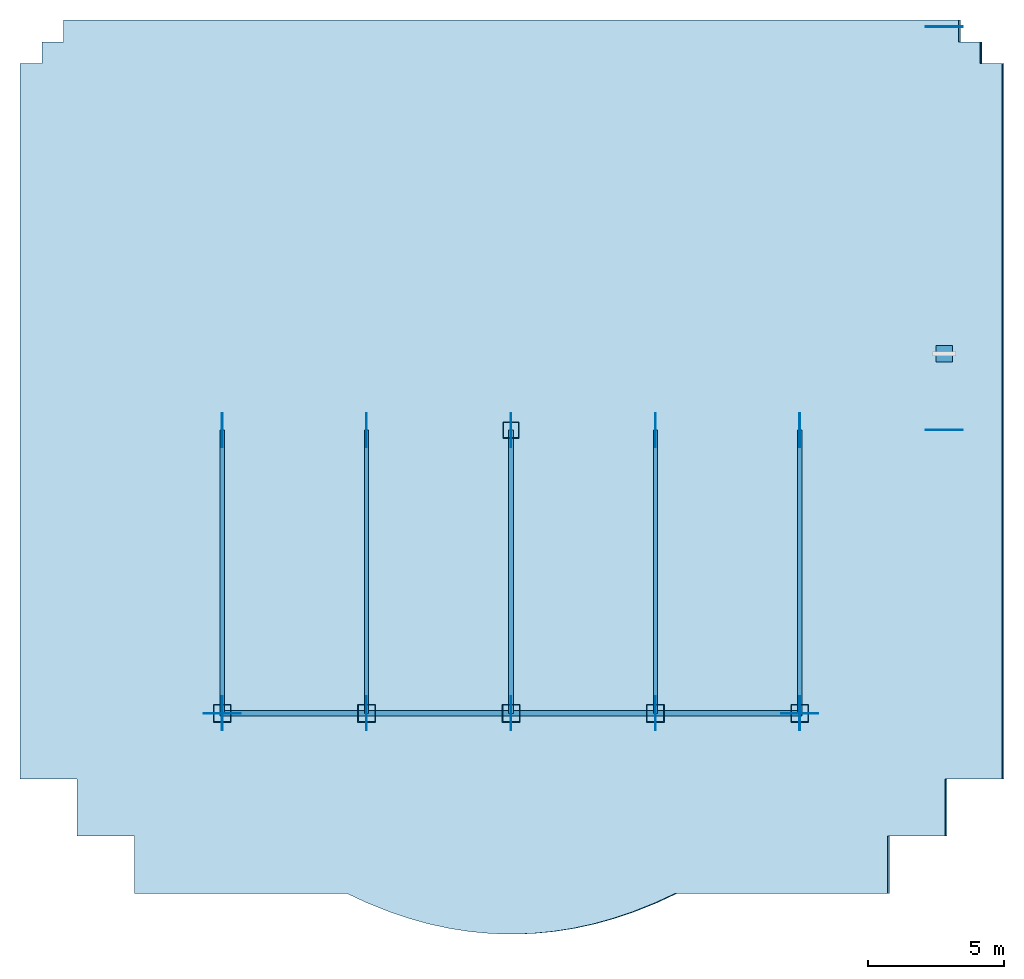
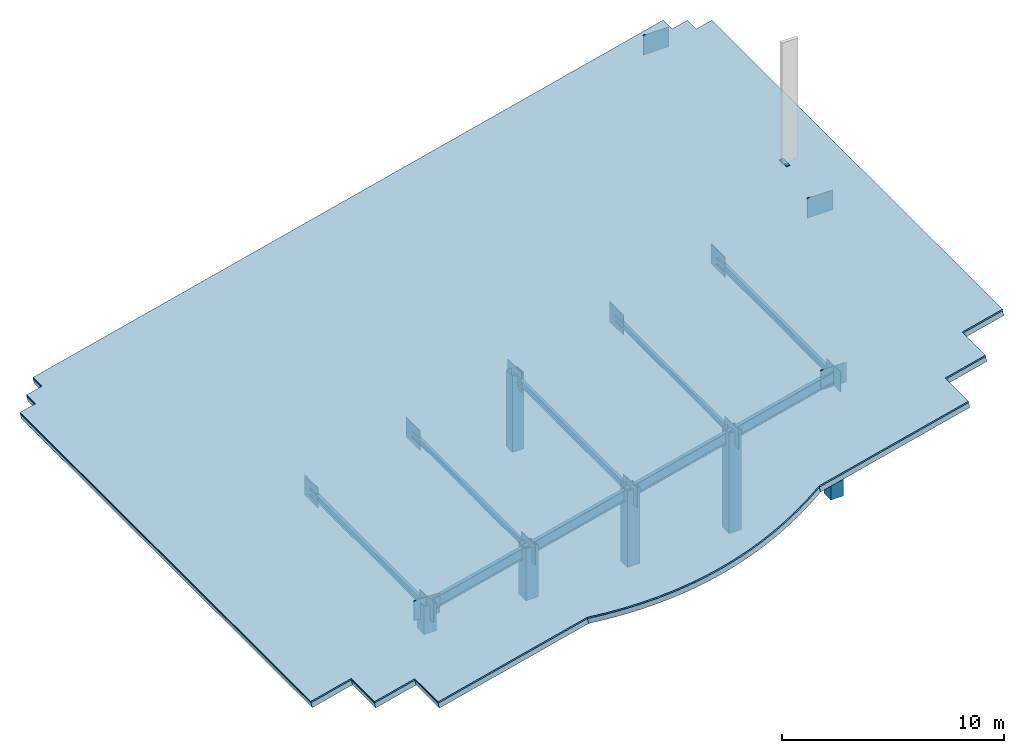
# One storey, part 1 of 2: 14 plates, 6 columns, 6 members, 1 discrete accessory, 1 roof, 1 slab.
"""IFC4 building model written with IfcOpenShell, lengths in metres."""

import ifcopenshell
import ifcopenshell.guid

model = None  # the IFC model being written
_history = None  # IfcOwnerHistory: only IFC2X3 demands one
_inside = {}  # id of a spatial element -> (the spatial element, [elements in it])
_under = {}  # id of a project, library or spatial element -> (it, [spatial elements below it])
_declared = {}  # id of a project -> (the project, [libraries it declares])
_typed = {}  # id of a type object -> (the type object, [elements of that type])
_made_of = {}  # id of a material, layer set ... -> (it, [elements and type objects made of it])


def new_model(schema):
    """Start an empty IFC model of exactly this schema.

    Asked for "IFC4X3", IfcOpenShell would pick the latest addendum, in which some entities
    have other attributes; the version numbers below select the first issue.
    IFC2X3 requires an IfcOwnerHistory on every rooted entity: one is made here for all.
    """
    global model, _history
    if schema == "IFC4X3":
        model = ifcopenshell.file(schema_version=(4, 3, 0, 0))
    else:
        model = ifcopenshell.file(schema=schema)
    _inside.clear()
    _under.clear()
    _declared.clear()
    _typed.clear()
    _made_of.clear()
    _history = None
    if model.schema == "IFC2X3":
        org = make("IfcOrganization", Name="unknown")
        user = make(
            "IfcPersonAndOrganization",
            ThePerson=make("IfcPerson", FamilyName="unknown"),
            TheOrganization=org,
        )
        app = make(
            "IfcApplication",
            ApplicationDeveloper=org,
            Version="unknown",
            ApplicationFullName="unknown",
            ApplicationIdentifier="unknown",
        )
        _history = make(
            "IfcOwnerHistory",
            OwningUser=user,
            OwningApplication=app,
            ChangeAction="ADDED",
            CreationDate=0,
        )
    return model


def make(cls, **values):
    """One entity of the class cls with the attributes given. An attribute that is None is left unset."""
    return model.create_entity(
        cls, **{name: value for name, value in values.items() if value is not None}
    )


def rooted(cls, **values):
    """An entity with a GlobalId (a new one), such as an element, a storey or a relation."""
    return make(cls, GlobalId=ifcopenshell.guid.new(), OwnerHistory=_history, **values)


def si_unit(unit_type, name, prefix=None):
    """IfcSIUnit, for example si_unit("LENGTHUNIT", "METRE", prefix="MILLI")."""
    return make("IfcSIUnit", UnitType=unit_type, Prefix=prefix, Name=name)


def assignment(units):
    """IfcUnitAssignment: the units of a project."""
    return None if units is None else make("IfcUnitAssignment", Units=units)


def point(xyz):
    """IfcCartesianPoint."""
    return None if xyz is None else make("IfcCartesianPoint", Coordinates=xyz)


def direction(xyz):
    """IfcDirection."""
    return None if xyz is None else make("IfcDirection", DirectionRatios=xyz)


def frame(location, z_axis=None, x_axis=None):
    """IfcAxis2Placement3D, a coordinate frame: its origin and axes. An axis left out is left unset."""
    return make(
        "IfcAxis2Placement3D",
        Location=point(location),
        Axis=direction(z_axis),
        RefDirection=direction(x_axis),
    )


def frame_2d(location, x_axis=None):
    """IfcAxis2Placement2D, a coordinate frame in the plane: its origin and x axis."""
    return make(
        "IfcAxis2Placement2D", Location=point(location), RefDirection=direction(x_axis)
    )


def origin():
    """The frame at (0, 0, 0) with its axes left unset."""
    return frame((0.0, 0.0, 0.0))


def origin_2d():
    """The frame at (0, 0) in the plane with its x axis left unset."""
    return frame_2d((0.0, 0.0))


def place(relative_to, where):
    """IfcLocalPlacement: puts the frame where relative to a parent placement (None: the world)."""
    return make(
        "IfcLocalPlacement", PlacementRelTo=relative_to, RelativePlacement=where
    )


def context(
    kind, dimensions, precision=None, world=None, true_north=None, identifier=None
):
    """IfcGeometricRepresentationContext, for example the 3D "Model" context."""
    return make(
        "IfcGeometricRepresentationContext",
        ContextIdentifier=identifier,
        ContextType=kind,
        CoordinateSpaceDimension=dimensions,
        Precision=precision,
        WorldCoordinateSystem=world,
        TrueNorth=true_north,
    )


def subcontext(parent, identifier, kind, view, scale=None):
    """IfcGeometricRepresentationSubContext, for example "Body" below "Model"."""
    return make(
        "IfcGeometricRepresentationSubContext",
        ContextIdentifier=identifier,
        ContextType=kind,
        ParentContext=parent,
        TargetScale=scale,
        TargetView=view,
    )


def project(units=None, contexts=None):
    """IfcProject with its units and contexts."""
    return rooted(
        "IfcProject",
        Name="project",
        RepresentationContexts=contexts,
        UnitsInContext=assignment(units),
    )


def spatial(cls, under=None, at=None, **own):
    """A site, building, storey or space (cls), placed at a placement, below another one or the project."""
    s = rooted(cls, ObjectPlacement=at, **own)
    if under is not None:
        _under.setdefault(under.id(), (under, []))[1].append(s)
    return s


def polyline(points):
    """IfcPolyline through the points."""
    return make("IfcPolyline", Points=[point(p) for p in points])


def profile(cls, at=None, kind="AREA", **sizes):
    """A parametric profile (cls). Its sizes go by their IFC names, for example OverallWidth=200.0."""
    return make(cls, ProfileType=kind, Position=at, **sizes)


def rectangle(**sizes):
    """IfcRectangleProfileDef."""
    return profile("IfcRectangleProfileDef", **sizes)


def hollow_rectangle(**sizes):
    """IfcRectangleHollowProfileDef."""
    return profile("IfcRectangleHollowProfileDef", **sizes)


def i_section(**sizes):
    """IfcIShapeProfileDef."""
    return profile("IfcIShapeProfileDef", **sizes)


def outline(outer, holes=None, kind="AREA"):
    """IfcArbitraryClosedProfileDef: a profile drawn as a closed curve; with holes, ...WithVoids."""
    if holes is None:
        return make("IfcArbitraryClosedProfileDef", ProfileType=kind, OuterCurve=outer)
    return make(
        "IfcArbitraryProfileDefWithVoids",
        ProfileType=kind,
        OuterCurve=outer,
        InnerCurves=holes,
    )


def extrude(swept, where, along, depth):
    """IfcExtrudedAreaSolid: the profile swept, set in the frame where, extruded along a direction by depth."""
    return make(
        "IfcExtrudedAreaSolid",
        SweptArea=swept,
        Position=where,
        ExtrudedDirection=direction(along),
        Depth=depth,
    )


def shape(context_of_items, identifier, shape_type, items):
    """IfcShapeRepresentation: the items that make up one representation, for example the "Body"."""
    return make(
        "IfcShapeRepresentation",
        ContextOfItems=context_of_items,
        RepresentationIdentifier=identifier,
        RepresentationType=shape_type,
        Items=items,
    )


def source(mapping_origin, context_of_items, identifier, shape_type, items):
    """IfcRepresentationMap: a shape defined once, which mapped items show again and again."""
    return make(
        "IfcRepresentationMap",
        MappingOrigin=mapping_origin,
        MappedRepresentation=shape(context_of_items, identifier, shape_type, items),
    )


def transform(
    local_origin,
    x_axis=None,
    y_axis=None,
    z_axis=None,
    scale=None,
    scale2=None,
    scale3=None,
    uniform=True,
):
    """IfcCartesianTransformationOperator3D, or its non-uniform kind. x_axis, y_axis, z_axis: its Axis1, 2, 3."""
    if uniform:
        return make(
            "IfcCartesianTransformationOperator3D",
            Axis1=direction(x_axis),
            Axis2=direction(y_axis),
            LocalOrigin=point(local_origin),
            Scale=scale,
            Axis3=direction(z_axis),
        )
    return make(
        "IfcCartesianTransformationOperator3DnonUniform",
        Axis1=direction(x_axis),
        Axis2=direction(y_axis),
        LocalOrigin=point(local_origin),
        Scale=scale,
        Axis3=direction(z_axis),
        Scale2=scale2,
        Scale3=scale3,
    )


def mapped(mapping_source, mapping_target):
    """IfcMappedItem: shows the shape of a source again, moved by a transform."""
    return make(
        "IfcMappedItem", MappingSource=mapping_source, MappingTarget=mapping_target
    )


def material(Name=None, Category=None):
    """IfcMaterial."""
    return make("IfcMaterial", Name=Name, Category=Category)


def layer(
    of_material, thickness, ventilated=None, Name=None, Category=None, Priority=None
):
    """IfcMaterialLayer: one layer of a wall or slab, of a material (None: an air gap)."""
    return make(
        "IfcMaterialLayer",
        Material=of_material,
        LayerThickness=thickness,
        IsVentilated=ventilated,
        Name=Name,
        Category=Category,
        Priority=Priority,
    )


def layer_set(layers, Name=None):
    """IfcMaterialLayerSet."""
    return make("IfcMaterialLayerSet", MaterialLayers=layers, LayerSetName=Name)


def material_profile(
    of_material, cross_section, Name=None, Category=None, Priority=None
):
    """IfcMaterialProfile: a cross section and its material."""
    return make(
        "IfcMaterialProfile",
        Name=Name,
        Material=of_material,
        Profile=cross_section,
        Priority=Priority,
        Category=Category,
    )


def profile_set(profiles, Name=None, composite=None):
    """IfcMaterialProfileSet."""
    return make(
        "IfcMaterialProfileSet",
        Name=Name,
        MaterialProfiles=profiles,
        CompositeProfile=composite,
    )


def made_of(thing, what):
    """Note that an element or type object is made of a material, layer set ...; save() writes the relation."""
    if what is not None:
        _made_of.setdefault(what.id(), (what, []))[1].append(thing)
    return thing


def type_object(cls, material=None, **own):
    """A type object (cls), such as IfcWallType, which elements share."""
    return made_of(rooted(cls, **own), material)


def element(
    cls,
    number,
    at=None,
    inside=None,
    cuts=None,
    type_object=None,
    material=None,
    context=None,
    identifier="Body",
    shape_type=None,
    held_by="IfcProductDefinitionShape",
    body=None,
    shapes=None,
    **own,
):
    """One element of the class cls, such as IfcWall. Its Tag is "e" and its number.

    at: its placement. inside: the storey or other place that contains it. cuts: it is an
    opening in that element (IfcRelVoidsElement). A single representation is given by context,
    identifier, shape_type and body (its items); several are given by shapes. held_by: the class
    of the entity that holds the representations. save() writes the other relations.
    """
    e = rooted(cls, Tag="e%d" % number, ObjectPlacement=at, **own)
    if body is not None:
        shapes = [shape(context, identifier, shape_type, body)]
    if shapes is not None:
        e.Representation = make(held_by, Representations=shapes)
    if inside is not None:
        _inside.setdefault(inside.id(), (inside, []))[1].append(e)
    if cuts is not None:
        rooted(
            "IfcRelVoidsElement", RelatingBuildingElement=cuts, RelatedOpeningElement=e
        )
    if type_object is not None:
        _typed.setdefault(type_object.id(), (type_object, []))[1].append(e)
    return made_of(e, material)


def aggregate(whole, parts):
    """IfcRelAggregates: a whole, such as a stair, and the parts it consists of."""
    return rooted("IfcRelAggregates", RelatingObject=whole, RelatedObjects=parts)


def save(model, path):
    """Write the relations noted so far, then the file.

    IfcRelAggregates (storeys below a building ...), IfcRelContainedInSpatialStructure (elements
    in a storey), IfcRelDefinesByType, IfcRelAssociatesMaterial and IfcRelDeclares: one each for
    every whole, place, type object, material and project.
    """
    for whole, parts in _under.values():
        aggregate(whole, parts)
    for where, things in _inside.values():
        rooted(
            "IfcRelContainedInSpatialStructure",
            RelatedElements=things,
            RelatingStructure=where,
        )
    for kind, things in _typed.values():
        rooted("IfcRelDefinesByType", RelatedObjects=things, RelatingType=kind)
    for what, things in _made_of.values():
        rooted("IfcRelAssociatesMaterial", RelatedObjects=things, RelatingMaterial=what)
    for by, libraries in _declared.values():
        rooted("IfcRelDeclares", RelatingContext=by, RelatedDefinitions=libraries)
    model.write(path)


model = new_model("IFC4")

# Units and contexts
model_context = context("Model", 3, precision=1e-05, world=origin(), true_north=direction((0.0, 1.0)))
body_context = subcontext(model_context, "Body", "Model", "MODEL_VIEW")
ifc_project = project(units=[si_unit("LENGTHUNIT", "METRE"), si_unit("AREAUNIT", "SQUARE_METRE"), si_unit("VOLUMEUNIT", "CUBIC_METRE"), si_unit("PLANEANGLEUNIT", "RADIAN"), si_unit("MASSUNIT", "GRAM", prefix="KILO")], contexts=[model_context])

# Site, building, storey
site_placement = place(None, origin())
site = spatial("IfcSite", under=ifc_project, at=site_placement, CompositionType="ELEMENT")
building_placement = place(site_placement, origin())
building = spatial("IfcBuilding", under=site, at=building_placement, Name="Qianlan Lanfeng Residences", CompositionType="ELEMENT")
storey_placement = place(building_placement, frame((0.0, 0.0, 276.800048828125)))
storey = spatial("IfcBuildingStorey", under=building, at=storey_placement, Name="RF", CompositionType="ELEMENT", Elevation=276.800048828125)

# Columns
ifc_material_1 = material(Name="Steel SN490B", Category="steel")
ifc_material_profile_1 = material_profile(ifc_material_1, hollow_rectangle(XDim=0.60009765625, YDim=0.60009765625, WallThickness=0.02197265625, at=origin_2d()), Name="BOX 600x600x22")
ifc_profile_set_1 = profile_set([ifc_material_profile_1], Name="Steel SN490B")
column_type_1 = type_object("IfcColumnType", Name="C-B650", PredefinedType="COLUMN", material=ifc_profile_set_1)
column_1_placement = place(storey_placement, frame((26.5, 25.199951171875, 0.0), z_axis=(0.0, 0.0, 1.0), x_axis=(1.0, 0.0, 0.0)))
element("IfcColumn", 1, at=column_1_placement, inside=storey, type_object=column_type_1, Name="RF Crown Structural Column CP_26.5_25.2", PredefinedType="COLUMN", context=body_context, shape_type="SweptSolid", body=[
    extrude(hollow_rectangle(XDim=0.60009765625, YDim=0.60009765625, WallThickness=0.02197265625, at=origin_2d()), origin(), (0.0, 0.0, 1.0), 4.20361328125),
])
ifc_material_profile_2 = material_profile(ifc_material_1, hollow_rectangle(XDim=0.64990234375, YDim=0.64990234375, WallThickness=0.02197265625, at=origin_2d()), Name="BOX 650x650x22")
ifc_profile_set_2 = profile_set([ifc_material_profile_2], Name="Steel SN490B")
column_type_2 = type_object("IfcColumnType", Name="CE-B700", PredefinedType="COLUMN", material=ifc_profile_set_2)
column_2_placement = place(storey_placement, frame((15.89990234375, 14.800048828125, 0.0), z_axis=(0.0, 0.0, 1.0), x_axis=(1.0, 0.0, 0.0)))
element("IfcColumn", 2, at=column_2_placement, inside=storey, type_object=column_type_2, Name="RF Crown Structural Column M_15.90_14.80", PredefinedType="COLUMN", context=body_context, shape_type="SweptSolid", body=[
    extrude(hollow_rectangle(XDim=0.64990234375, YDim=0.64990234375, WallThickness=0.02197265625, at=origin_2d()), origin(), (0.0, 0.0, 1.0), 1.560791015625),
])
column_3_placement = place(storey_placement, frame((21.199951171875, 14.800048828125, 0.0), z_axis=(0.0, 0.0, 1.0), x_axis=(1.0, 0.0, 0.0)))
element("IfcColumn", 3, at=column_3_placement, inside=storey, type_object=column_type_2, Name="RF Crown Structural Column M_21.20_14.80", PredefinedType="COLUMN", context=body_context, shape_type="SweptSolid", body=[
    extrude(hollow_rectangle(XDim=0.64990234375, YDim=0.64990234375, WallThickness=0.02197265625, at=origin_2d()), origin(), (0.0, 0.0, 1.0), 2.88232421875),
])
column_4_placement = place(storey_placement, frame((26.5, 14.800048828125, 0.0), z_axis=(0.0, 0.0, 1.0), x_axis=(1.0, 0.0, 0.0)))
element("IfcColumn", 4, at=column_4_placement, inside=storey, type_object=column_type_2, Name="RF Crown Structural Column M_26.50_14.80", PredefinedType="COLUMN", context=body_context, shape_type="SweptSolid", body=[
    extrude(hollow_rectangle(XDim=0.64990234375, YDim=0.64990234375, WallThickness=0.02197265625, at=origin_2d()), origin(), (0.0, 0.0, 1.0), 4.20361328125),
])
column_5_placement = place(storey_placement, frame((31.800048828125, 14.800048828125, 0.0), z_axis=(0.0, 0.0, 1.0), x_axis=(1.0, 0.0, 0.0)))
element("IfcColumn", 5, at=column_5_placement, inside=storey, type_object=column_type_2, Name="RF Crown Structural Column M_31.80_14.80", PredefinedType="COLUMN", context=body_context, shape_type="SweptSolid", body=[
    extrude(hollow_rectangle(XDim=0.64990234375, YDim=0.64990234375, WallThickness=0.02197265625, at=origin_2d()), origin(), (0.0, 0.0, 1.0), 5.525146484375),
])
column_6_placement = place(storey_placement, frame((37.10009765625, 14.800048828125, 0.0), z_axis=(0.0, 0.0, 1.0), x_axis=(1.0, 0.0, 0.0)))
element("IfcColumn", 6, at=column_6_placement, inside=storey, type_object=column_type_2, Name="RF Crown Structural Column M_37.10_14.80", PredefinedType="COLUMN", context=body_context, shape_type="SweptSolid", body=[
    extrude(hollow_rectangle(XDim=0.64990234375, YDim=0.64990234375, WallThickness=0.02197265625, at=origin_2d()), origin(), (0.0, 0.0, 1.0), 6.846435546875),
])

# Members
ifc_material_profile_3 = material_profile(ifc_material_1, i_section(OverallWidth=0.14990234375, OverallDepth=0.300048828125, WebThickness=0.006591796875, FlangeThickness=0.009033203125, at=origin_2d()), Name="H 300x150x6.5x9")
ifc_profile_set_3 = profile_set([ifc_material_profile_3], Name="Steel SN490B")
member_type_1 = type_object("IfcMemberType", Name="PR-280", PredefinedType="STRUT", material=ifc_profile_set_3)
for number, where, z_axis, x_axis, name in (
    (7, (21.199951171875, 14.800048828125, 2.6123046875), (0.0, 1.0, 0.0), (-1.0, 0.0, 0.0), "Crown Roof Tie Strut 2"),
    (8, (31.800048828125, 14.800048828125, 5.255126953125), (0.0, 1.0, 0.0), (-1.0, 0.0, 0.0), "Crown Roof Tie Strut 4"),
):
    element("IfcMember", number, at=place(storey_placement, frame(where, z_axis=z_axis, x_axis=x_axis)), inside=storey, type_object=member_type_1, Name=name, PredefinedType="STRUT", context=body_context, shape_type="SweptSolid", body=[
        extrude(i_section(OverallWidth=0.14990234375, OverallDepth=0.300048828125, WebThickness=0.006591796875, FlangeThickness=0.009033203125, at=origin_2d()), origin(), (0.0, 0.0, 1.0), 10.39990234375),
    ])
ifc_material_profile_4 = material_profile(ifc_material_1, i_section(OverallWidth=0.175048828125, OverallDepth=0.35009765625, WebThickness=0.007080078125, FlangeThickness=0.010986328125, at=origin_2d()), Name="H 350x175x7x11")
ifc_profile_set_4 = profile_set([ifc_material_profile_4], Name="Steel SN490B")
member_type_2 = type_object("IfcMemberType", Name="PR-350", PredefinedType="STRUT", material=ifc_profile_set_4)
for number, where, z_axis, x_axis, name in (
    (9, (15.89990234375, 14.800048828125, 1.290771484375), (0.0, 1.0, 0.0), (-1.0, 0.0, 0.0), "Crown Roof Tie Strut 1"),
    (10, (26.5, 14.800048828125, 3.93359375), (0.0, 1.0, 0.0), (-1.0, 0.0, 0.0), "Crown Roof Tie Strut 3"),
    (11, (37.10009765625, 14.800048828125, 6.57666015625), (0.0, 1.0, 0.0), (-1.0, 0.0, 0.0), "Crown Roof Tie Strut 5"),
):
    element("IfcMember", number, at=place(storey_placement, frame(where, z_axis=z_axis, x_axis=x_axis)), inside=storey, type_object=member_type_2, Name=name, PredefinedType="STRUT", context=body_context, shape_type="SweptSolid", body=[
        extrude(i_section(OverallWidth=0.175048828125, OverallDepth=0.35009765625, WebThickness=0.007080078125, FlangeThickness=0.010986328125, at=origin_2d()), origin(), (0.0, 0.0, 1.0), 10.39990234375),
    ])
ifc_material_profile_5 = material_profile(ifc_material_1, i_section(OverallWidth=0.199951171875, OverallDepth=0.60009765625, WebThickness=0.011962890625, FlangeThickness=0.02001953125, at=origin_2d()), Name="H 600x200x12x20")
ifc_profile_set_5 = profile_set([ifc_material_profile_5], Name="Steel SN490B")
member_type_3 = type_object("IfcMemberType", Name="RF-600", PredefinedType="CHORD", material=ifc_profile_set_5)
member_placement = place(storey_placement, frame((15.89990234375, 14.800048828125, 1.24072265625), z_axis=(0.970294798952, 0.0, 0.241925614862), x_axis=(0.0, 1.0, 0.0)))
element("IfcMember", 12, at=member_placement, inside=storey, type_object=member_type_3, Name="Crown Blade Roof Chord 1", PredefinedType="CHORD", context=body_context, shape_type="SweptSolid", body=[
    extrude(i_section(OverallWidth=0.199951171875, OverallDepth=0.60009765625, WebThickness=0.011962890625, FlangeThickness=0.02001953125, at=origin_2d()), origin(), (0.0, 0.0, 1.0), 21.84912109375),
])

# Slab
ifc_material_2 = material(Name="Concrete C49", Category="concrete")
ifc_layer_1 = layer(ifc_material_2, 0.300048828125)
ifc_layer_set_1 = layer_set([ifc_layer_1], Name="Concrete C49")
slab_type = type_object("IfcSlabType", Name="S-RF-300", PredefinedType="ROOF", material=ifc_layer_set_1)
slab_placement = place(storey_placement, frame((8.47998046875, 12.39990234375, 0.0), z_axis=(-0.241923057938, -2.818835e-06, 0.970295436468), x_axis=(0.970295436472, -2.25e-10, 0.241923057939)))
element("IfcSlab", 13, at=slab_placement, inside=storey, type_object=slab_type, Name="Crown Sloping Blade Roof Slab S-RF-300", PredefinedType="ROOF", context=body_context, shape_type="SweptSolid", body=[
    extrude(outline(polyline([(0.0, 0.0), (2.1643467726438397, 2.117582368135751e-22), (2.164346773117048, -2.099853515616658), (4.32851572047316, -2.0998535147824584), (4.328515720946422, -4.199951171024115), (12.346700137294825, -4.199951169468279), (13.124934137051248, -4.552001950658658), (13.902931248262538, -4.855957028557793), (14.68122431124435, -5.114013668455783), (15.459162359188113, -5.32495116889805), (16.23745542214874, -5.489013668171414), (17.015452533317887, -5.605957027321292), (17.793627469764424, -5.67700194980555), (18.571683644158956, -5.6999511676630386), (19.34968075529658, -5.6770019486884715), (20.127914754957654, -5.605957026755533), (20.9059118660741, -5.48901366715634), (21.684145865714214, -5.324951167098769), (22.462142976809474, -5.11401366687495), (23.240376976428408, -4.855957026192753), (24.018374087502707, -4.552001947844303), (24.79660808710046, -4.19995116653748), (32.814792503448864, -4.199951164981644), (32.8147925029756, -2.0998535087399866), (34.97896145033171, -2.0998535079057876), (34.9789614498585, 7.710870346238892e-09), (37.14336728574891, 8.37863342605894e-09), (37.1433672798334, 26.25000000827435), (36.31876981725741, 26.25000000745552), (36.31876981707712, 27.05004883557734), (35.494290480994266, 27.05004883609404), (35.49429048081397, 27.850097664215863), (1.6490767923827467, 27.850097656441488), (1.6490767925630399, 27.050048828319664), (0.8245383932336184, 27.0500488281686), (0.8245383934139117, 26.25000000004678), (-5.915509771438244e-09, 26.249999999895714), (0.0, 0.0)])), origin(), (0.0, 0.0, -1.0), 0.300048828125),
])

# Plates
ifc_layer_2 = layer(ifc_material_1, 0.028076171875)
ifc_layer_set_2 = layer_set([ifc_layer_2], Name="Steel SN490B")
plate_type_1 = type_object("IfcPlateType", Name="NP-GUS-28", PredefinedType="USERDEFINED", material=ifc_layer_set_2)
shared_shape_1 = source(origin(), body_context, "Body", "SweptSolid", [
    extrude(rectangle(XDim=1.35009765625, YDim=0.028076171875, at=origin_2d()), origin(), (0.0, 0.0, 1.0), 1.10009765625),
])
for number, where, z_axis, x_axis, name in (
    (14, (15.89990234375, 14.800048828125, 0.690673828125), (0.0, 0.0, 1.0), (1.0, 0.0, 0.0), "Crown Roof Chord End Gusset Plate 1-W"),
    (15, (37.10009765625, 14.800048828125, 5.9765625), (0.0, 0.0, 1.0), (1.0, 0.0, 0.0), "Crown Roof Chord End Gusset Plate 1-E"),
    (16, (42.39990234375, 25.199951171875, 7.2978515625), (0.0, 0.0, 1.0), (1.0, 0.0, 0.0), "Crown Roof Chord End Gusset Plate 2-E"),
    (17, (42.39990234375, 40.0, 7.2978515625), (0.0, 0.0, 1.0), (1.0, 0.0, 0.0), "Crown Roof Chord End Gusset Plate 3-E"),
):
    element("IfcPlate", number, at=place(storey_placement, frame(where, z_axis=z_axis, x_axis=x_axis)), inside=storey, type_object=plate_type_1, Name=name, ObjectType="GUSSET", PredefinedType="USERDEFINED", context=body_context, shape_type="MappedRepresentation", body=[
        mapped(shared_shape_1, transform((0.0, 0.0, 0.0), scale=1.0)),
    ])
ifc_layer_3 = layer(ifc_material_1, 0.028076171875)
ifc_layer_set_3 = layer_set([ifc_layer_3], Name="Steel SN490B")
plate_type_2 = type_object("IfcPlateType", Name="NP-GUS-24", PredefinedType="USERDEFINED", material=ifc_layer_set_3)
shared_shape_2 = source(origin(), body_context, "Body", "SweptSolid", [
    extrude(rectangle(XDim=0.028076171875, YDim=1.25, at=origin_2d()), origin(), (0.0, 0.0, 1.0), 1.10009765625),
])
for number, where, z_axis, x_axis, name in (
    (18, (15.89990234375, 14.800048828125, 0.74072265625), (0.0, 0.0, 1.0), (1.0, 0.0, 0.0), "Crown Tie Strut End Gusset Plate 1-S"),
    (19, (15.89990234375, 25.199951171875, 0.74072265625), (0.0, 0.0, 1.0), (1.0, 0.0, 0.0), "Crown Tie Strut End Gusset Plate 1-N"),
    (20, (21.199951171875, 14.800048828125, 2.062255859375), (0.0, 0.0, 1.0), (1.0, 0.0, 0.0), "Crown Tie Strut End Gusset Plate 2-S"),
    (21, (21.199951171875, 25.199951171875, 2.062255859375), (0.0, 0.0, 1.0), (1.0, 0.0, 0.0), "Crown Tie Strut End Gusset Plate 2-N"),
    (22, (26.5, 14.800048828125, 3.383544921875), (0.0, 0.0, 1.0), (1.0, 0.0, 0.0), "Crown Tie Strut End Gusset Plate 3-S"),
    (23, (26.5, 25.199951171875, 3.383544921875), (0.0, 0.0, 1.0), (1.0, 0.0, 0.0), "Crown Tie Strut End Gusset Plate 3-N"),
    (24, (31.800048828125, 14.800048828125, 4.705078125), (0.0, 0.0, 1.0), (1.0, 0.0, 0.0), "Crown Tie Strut End Gusset Plate 4-S"),
    (25, (31.800048828125, 25.199951171875, 4.705078125), (0.0, 0.0, 1.0), (1.0, 0.0, 0.0), "Crown Tie Strut End Gusset Plate 4-N"),
    (26, (37.10009765625, 14.800048828125, 6.026611328125), (0.0, 0.0, 1.0), (1.0, 0.0, 0.0), "Crown Tie Strut End Gusset Plate 5-S"),
    (27, (37.10009765625, 25.199951171875, 6.026611328125), (0.0, 0.0, 1.0), (1.0, 0.0, 0.0), "Crown Tie Strut End Gusset Plate 5-N"),
):
    element("IfcPlate", number, at=place(storey_placement, frame(where, z_axis=z_axis, x_axis=x_axis)), inside=storey, type_object=plate_type_2, Name=name, ObjectType="GUSSET", PredefinedType="USERDEFINED", context=body_context, shape_type="MappedRepresentation", body=[
        mapped(shared_shape_2, transform((0.0, 0.0, 0.0), scale=1.0)),
    ])

# Roof
ifc_material_3 = material(Name="Elastomeric Waterproofing Roof Membrane")
ifc_layer_4 = layer(ifc_material_3, 0.080078125)
ifc_layer_set_4 = layer_set([ifc_layer_4], Name="Elastomeric Waterproofing Roof Membrane")
roof_type = type_object("IfcRoofType", Name="RF-BLADE-MEM", PredefinedType="SHED_ROOF", material=ifc_layer_set_4)
roof_placement = place(storey_placement, frame((8.47998046875, 12.39990234375, 0.079833984375), z_axis=(-0.241923058034, 2.818835e-06, 0.970295436444), x_axis=(0.970295436448, -8.3e-11, 0.241923058035)))
element("IfcRoof", 28, at=roof_placement, inside=storey, type_object=roof_type, Name="Crown Sloped Blade Standing-Seam Roof Assembly", PredefinedType="SHED_ROOF", context=body_context, shape_type="SweptSolid", body=[
    extrude(outline(polyline([(0.0, 0.0), (2.1644058358904132, -2.117582368135751e-22), (2.164405836065052, -2.0998535156166573), (4.3285747834211765, -2.099853515783167), (4.328574783595836, -4.199951172024823), (12.346759199944229, -4.199951171106887), (13.124993199650593, -4.552001952173609), (13.902990310818668, -4.855957030282031), (14.681224310517214, -5.114013670724127), (15.459221421677555, -5.3249511707079185), (16.237455421368285, -5.489013670525387), (17.015452532520808, -5.605957029884553), (17.793686532203804, -5.677001951577391), (18.571683643348504, -5.699951170311929), (19.34968075448939, -5.67700195154665), (20.12797381740716, -5.605957030157798), (20.90591186529364, -5.489013670100148), (21.684204928203666, -5.324951170586665), (22.462202039328922, -5.114013670572134), (23.24037697573796, -4.855957029098534), (24.018433150102066, -4.552001951627117), (24.79666714974987, -4.199951170196637), (32.81485156609826, -4.199951169278701), (32.814851565923604, -2.0998535130370444), (34.97902051327973, -2.099853513203554), (34.97902051310509, 2.4131035390720563e-09), (37.14336728574891, 3.080848396662145e-09), (37.143367283565766, 26.250000002976556), (36.31882888423635, 26.250000002873236), (36.31882888416982, 27.05004883099506), (35.49429048484039, 27.050048830891736), (35.494290484773856, 27.850097659013556), (1.6490767963426247, 27.850097656345994), (1.6490767964091626, 27.050048828224174), (0.8245974603263327, 27.050048827453107), (0.8245974603928706, 26.249999999331283), (-2.183140095037832e-09, 26.249999999895707), (0.0, 0.0)])), origin(), (0.0, 0.0, -1.0), 0.080078125),
])

# Discrete accessory
ifc_material_4 = material(Name="Stainless Steel Facade Bracket", Category="steel")
discrete_accessory_type = type_object("IfcDiscreteAccessoryType", Name="BRK-SS-350", PredefinedType="BRACKET", material=ifc_material_4)
shared_shape_3 = source(origin(), body_context, "Body", "SweptSolid", [
    extrude(rectangle(XDim=0.60009765625, YDim=0.60009765625, at=origin_2d()), origin(), (0.0, 0.0, 1.0), 0.39990234375),
])
discrete_accessory_placement = place(storey_placement, frame((42.39990234375, 28.0, 8.10693359375), z_axis=(0.0, 0.0, 1.0), x_axis=(1.0, 0.0, 0.0)))
element("IfcDiscreteAccessory", 29, at=discrete_accessory_placement, inside=storey, type_object=discrete_accessory_type, Name="Crown Blade Prow Spire Base Anchor Bracket", PredefinedType="BRACKET", context=body_context, shape_type="MappedRepresentation", body=[
    mapped(shared_shape_3, transform((0.0, 0.0, 0.0), scale=1.0)),
])

save(model, "model.ifc")
